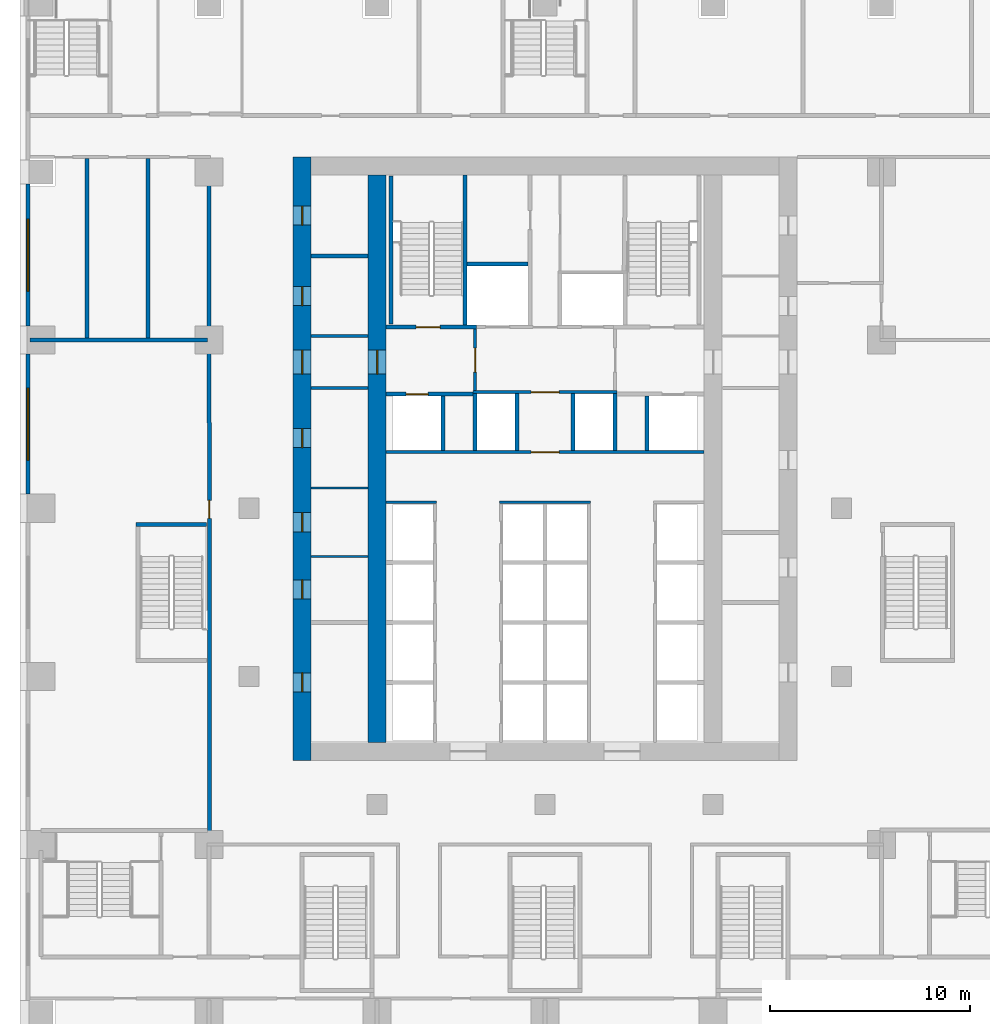
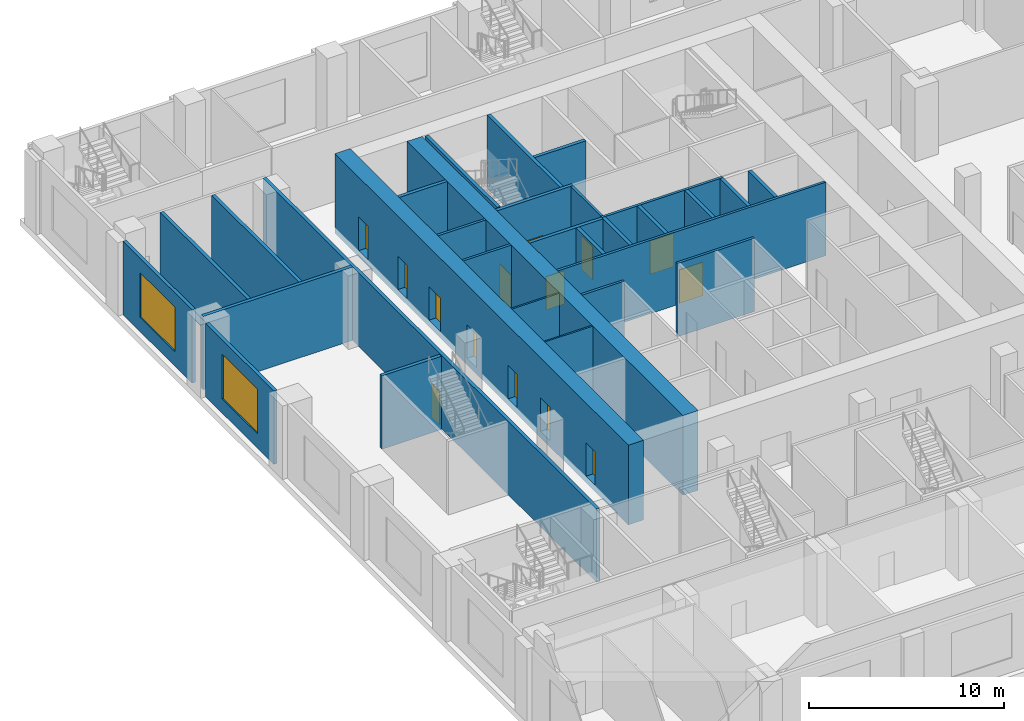
# One storey, part 7 of 23: 30 walls, 14 doors, 2 windows, 16 openings.
"""IFC4 building model written with IfcOpenShell, lengths in metres."""

from ifc_helpers import new_model, si_unit, direction, frame, frame_2d, origin, place, context, subcontext, project, spatial, rectangle, extrude, material, layer, layer_set, type_object, element, fill, save


model = new_model("IFC4")

# Units and contexts
model_context = context("Model", 3, precision=1e-05, world=origin(), true_north=direction((0.0, 1.0)))
body_context = subcontext(model_context, "Body", "Model", "MODEL_VIEW")
ifc_project = project(units=[si_unit("LENGTHUNIT", "METRE"), si_unit("AREAUNIT", "SQUARE_METRE"), si_unit("VOLUMEUNIT", "CUBIC_METRE"), si_unit("PLANEANGLEUNIT", "RADIAN"), si_unit("MASSUNIT", "GRAM", prefix="KILO")], contexts=[model_context])

# Site, building, storey
site_placement = place(None, origin())
site = spatial("IfcSite", under=ifc_project, at=site_placement, CompositionType="ELEMENT")
building_placement = place(site_placement, origin())
building = spatial("IfcBuilding", under=site, at=building_placement, Name="Vermilion Ogive Tower", CompositionType="ELEMENT")
storey_placement = place(building_placement, frame((0.0, 0.0, 20.0)))
storey = spatial("IfcBuildingStorey", under=building, at=storey_placement, Name="L03", CompositionType="ELEMENT", Elevation=20.0)

# Wall, openings, doors
ifc_material_1 = material(Name="Concrete B80", Category="concrete")
ifc_layer_1 = layer(ifc_material_1, 0.89990234375)
ifc_layer_set_1 = layer_set([ifc_layer_1], Name="Core wall 900 B80")
wall_type_1 = type_object("IfcWallType", Name="Core wall 900 B80", PredefinedType="SHEAR", material=ifc_layer_set_1)
wall_1_placement = place(storey_placement, frame((-12.14990234375, -8.39990234375, -0.39990234375), z_axis=(0.0, 0.0, 1.0), x_axis=(0.0, 1.0, 0.0)))
wall_1 = element("IfcWall", 1, at=wall_1_placement, inside=storey, type_object=wall_type_1, Name="L03-CORE-W", PredefinedType="SHEAR", context=body_context, shape_type="SweptSolid", body=[
    extrude(rectangle(XDim=30.14990234375, YDim=0.89990234375, at=frame_2d((15.074951171875, 0.0))), origin(), (0.0, 0.0, 1.0), 5.0),
])
opening_1_placement = place(wall_1_placement, frame((3.425048828125, 0.0, 0.39990234375)))
opening_1 = element("IfcOpeningElement", 2, at=opening_1_placement, cuts=wall_1, Name="Opening DAK017", PredefinedType="OPENING", context=body_context, shape_type="SweptSolid", body=[
    extrude(rectangle(XDim=0.949951171875, YDim=2.10009765625, at=frame_2d((0.47509765625, 1.050048828125))), frame((0.0, 0.4599609375, 0.0), z_axis=(0.0, -1.0, 0.0), x_axis=(1.0, 0.0, 0.0)), (0.0, 0.0, 1.0), 0.919921875),
])
opening_2_placement = place(wall_1_placement, frame((8.074951171875, 0.0, 0.39990234375)))
opening_2 = element("IfcOpeningElement", 3, at=opening_2_placement, cuts=wall_1, Name="Opening DAK018", PredefinedType="OPENING", context=body_context, shape_type="SweptSolid", body=[
    extrude(rectangle(XDim=0.949951171875, YDim=2.10009765625, at=frame_2d((0.47509765625, 1.050048828125))), frame((0.0, 0.4599609375, 0.0), z_axis=(0.0, -1.0, 0.0), x_axis=(1.0, 0.0, 0.0)), (0.0, 0.0, 1.0), 0.919921875),
])
opening_3_placement = place(wall_1_placement, frame((11.425048828125, 0.0, 0.39990234375)))
opening_3 = element("IfcOpeningElement", 4, at=opening_3_placement, cuts=wall_1, Name="Opening DAK019", PredefinedType="OPENING", context=body_context, shape_type="SweptSolid", body=[
    extrude(rectangle(XDim=0.949951171875, YDim=2.10009765625, at=frame_2d((0.47509765625, 1.050048828125))), frame((0.0, 0.4599609375, 0.0), z_axis=(0.0, -1.0, 0.0), x_axis=(1.0, 0.0, 0.0)), (0.0, 0.0, 1.0), 0.919921875),
])
opening_4_placement = place(wall_1_placement, frame((15.625, 0.0, 0.39990234375)))
opening_4 = element("IfcOpeningElement", 5, at=opening_4_placement, cuts=wall_1, Name="Opening DAK020", PredefinedType="OPENING", context=body_context, shape_type="SweptSolid", body=[
    extrude(rectangle(XDim=0.949951171875, YDim=2.10009765625, at=frame_2d((0.47509765625, 1.050048828125))), frame((0.0, 0.4599609375, 0.0), z_axis=(0.0, -1.0, 0.0), x_axis=(1.0, 0.0, 0.0)), (0.0, 0.0, 1.0), 0.919921875),
])
opening_5_placement = place(wall_1_placement, frame((22.72509765625, 0.0, 0.39990234375)))
opening_5 = element("IfcOpeningElement", 6, at=opening_5_placement, cuts=wall_1, Name="Opening DAK021", PredefinedType="OPENING", context=body_context, shape_type="SweptSolid", body=[
    extrude(rectangle(XDim=0.949951171875, YDim=2.10009765625, at=frame_2d((0.47509765625, 1.050048828125))), frame((0.0, 0.4599609375, 0.0), z_axis=(0.0, -1.0, 0.0), x_axis=(1.0, 0.0, 0.0)), (0.0, 0.0, 1.0), 0.919921875),
])
opening_6_placement = place(wall_1_placement, frame((26.75, 0.0, 0.39990234375)))
opening_6 = element("IfcOpeningElement", 7, at=opening_6_placement, cuts=wall_1, Name="Opening DAK022", PredefinedType="OPENING", context=body_context, shape_type="SweptSolid", body=[
    extrude(rectangle(XDim=0.949951171875, YDim=2.10009765625, at=frame_2d((0.47509765625, 1.050048828125))), frame((0.0, 0.4599609375, 0.0), z_axis=(0.0, -1.0, 0.0), x_axis=(1.0, 0.0, 0.0)), (0.0, 0.0, 1.0), 0.919921875),
])
opening_7_placement = place(wall_1_placement, frame((19.300048828125, 0.0, 0.39990234375)))
opening_7 = element("IfcOpeningElement", 8, at=opening_7_placement, cuts=wall_1, Name="Opening DBB004", PredefinedType="OPENING", context=body_context, shape_type="SweptSolid", body=[
    extrude(rectangle(XDim=1.199951171875, YDim=2.10009765625, at=frame_2d((0.60009765625, 1.050048828125))), frame((0.0, 0.4599609375, 0.0), z_axis=(0.0, -1.0, 0.0), x_axis=(1.0, 0.0, 0.0)), (0.0, 0.0, 1.0), 0.919921875),
])
ifc_material_2 = material(Name="Timber door leaf", Category="wood")
door_type_1 = type_object("IfcDoorType", Name="Link door 1200 x 2100 FD60S", OperationType="SINGLE_SWING_LEFT", PredefinedType="DOOR", material=ifc_material_2)
door_1_placement = place(opening_7_placement, origin())
door_1 = element("IfcDoor", 9, at=door_1_placement, inside=storey, type_object=door_type_1, Name="L03-CKW-XL", OperationType="SINGLE_SWING_LEFT", OverallHeight=2.10009765625, OverallWidth=1.199951171875, PredefinedType="DOOR", context=body_context, shape_type="SweptSolid", body=[
    extrude(rectangle(XDim=1.199951171875, YDim=2.10009765625, at=frame_2d((0.60009765625, 1.050048828125))), frame((0.0, 0.02490234375, 0.0), z_axis=(0.0, -1.0, 0.0), x_axis=(1.0, 0.0, 0.0)), (0.0, 0.0, 1.0), 0.050048828125),
])
fill(opening_7, door_1)
ifc_material_3 = material(Name="Timber door leaf", Category="wood")
door_type_2 = type_object("IfcDoorType", Name="Service door 950 x 2100 FD60", OperationType="SINGLE_SWING_LEFT", PredefinedType="DOOR", material=ifc_material_3)
door_2_placement = place(opening_1_placement, origin())
door_2 = element("IfcDoor", 10, at=door_2_placement, inside=storey, type_object=door_type_2, Name="L03-CKW-XR0", OperationType="SINGLE_SWING_LEFT", OverallHeight=2.10009765625, OverallWidth=0.949951171875, PredefinedType="DOOR", context=body_context, shape_type="SweptSolid", body=[
    extrude(rectangle(XDim=0.949951171875, YDim=2.10009765625, at=frame_2d((0.47509765625, 1.050048828125))), frame((0.0, 0.02490234375, 0.0), z_axis=(0.0, -1.0, 0.0), x_axis=(1.0, 0.0, 0.0)), (0.0, 0.0, 1.0), 0.050048828125),
])
fill(opening_1, door_2)
door_3_placement = place(opening_2_placement, origin())
door_3 = element("IfcDoor", 11, at=door_3_placement, inside=storey, type_object=door_type_2, Name="L03-CKW-XR1", OperationType="SINGLE_SWING_LEFT", OverallHeight=2.10009765625, OverallWidth=0.949951171875, PredefinedType="DOOR", context=body_context, shape_type="SweptSolid", body=[
    extrude(rectangle(XDim=0.949951171875, YDim=2.10009765625, at=frame_2d((0.47509765625, 1.050048828125))), frame((0.0, 0.02490234375, 0.0), z_axis=(0.0, -1.0, 0.0), x_axis=(1.0, 0.0, 0.0)), (0.0, 0.0, 1.0), 0.050048828125),
])
fill(opening_2, door_3)
door_4_placement = place(opening_3_placement, origin())
door_4 = element("IfcDoor", 12, at=door_4_placement, inside=storey, type_object=door_type_2, Name="L03-CKW-XR2", OperationType="SINGLE_SWING_LEFT", OverallHeight=2.10009765625, OverallWidth=0.949951171875, PredefinedType="DOOR", context=body_context, shape_type="SweptSolid", body=[
    extrude(rectangle(XDim=0.949951171875, YDim=2.10009765625, at=frame_2d((0.47509765625, 1.050048828125))), frame((0.0, 0.02490234375, 0.0), z_axis=(0.0, -1.0, 0.0), x_axis=(1.0, 0.0, 0.0)), (0.0, 0.0, 1.0), 0.050048828125),
])
fill(opening_3, door_4)
door_5_placement = place(opening_4_placement, origin())
door_5 = element("IfcDoor", 13, at=door_5_placement, inside=storey, type_object=door_type_2, Name="L03-CKW-XR3", OperationType="SINGLE_SWING_LEFT", OverallHeight=2.10009765625, OverallWidth=0.949951171875, PredefinedType="DOOR", context=body_context, shape_type="SweptSolid", body=[
    extrude(rectangle(XDim=0.949951171875, YDim=2.10009765625, at=frame_2d((0.47509765625, 1.050048828125))), frame((0.0, 0.02490234375, 0.0), z_axis=(0.0, -1.0, 0.0), x_axis=(1.0, 0.0, 0.0)), (0.0, 0.0, 1.0), 0.050048828125),
])
fill(opening_4, door_5)
door_6_placement = place(opening_5_placement, origin())
door_6 = element("IfcDoor", 14, at=door_6_placement, inside=storey, type_object=door_type_2, Name="L03-CKW-XR4", OperationType="SINGLE_SWING_LEFT", OverallHeight=2.10009765625, OverallWidth=0.949951171875, PredefinedType="DOOR", context=body_context, shape_type="SweptSolid", body=[
    extrude(rectangle(XDim=0.949951171875, YDim=2.10009765625, at=frame_2d((0.47509765625, 1.050048828125))), frame((0.0, 0.02490234375, 0.0), z_axis=(0.0, -1.0, 0.0), x_axis=(1.0, 0.0, 0.0)), (0.0, 0.0, 1.0), 0.050048828125),
])
fill(opening_5, door_6)
door_7_placement = place(opening_6_placement, origin())
door_7 = element("IfcDoor", 15, at=door_7_placement, inside=storey, type_object=door_type_2, Name="L03-CKW-XR5", OperationType="SINGLE_SWING_LEFT", OverallHeight=2.10009765625, OverallWidth=0.949951171875, PredefinedType="DOOR", context=body_context, shape_type="SweptSolid", body=[
    extrude(rectangle(XDim=0.949951171875, YDim=2.10009765625, at=frame_2d((0.47509765625, 1.050048828125))), frame((0.0, 0.02490234375, 0.0), z_axis=(0.0, -1.0, 0.0), x_axis=(1.0, 0.0, 0.0)), (0.0, 0.0, 1.0), 0.050048828125),
])
fill(opening_6, door_7)

# Wall, opening, door
wall_2_placement = place(storey_placement, frame((-8.39990234375, -7.5, -0.39990234375), z_axis=(0.0, 0.0, 1.0), x_axis=(0.0, 1.0, 0.0)))
wall_2 = element("IfcWall", 16, at=wall_2_placement, inside=storey, type_object=wall_type_1, Name="L03-CORE-WEB1", PredefinedType="SHEAR", context=body_context, shape_type="SweptSolid", body=[
    extrude(rectangle(XDim=28.35009765625, YDim=0.89990234375, at=frame_2d((14.175048828125, 0.0))), origin(), (0.0, 0.0, 1.0), 5.0),
])
opening_8_placement = place(wall_2_placement, frame((18.39990234375, 0.0, 0.39990234375)))
opening_8 = element("IfcOpeningElement", 17, at=opening_8_placement, cuts=wall_2, Name="Opening DBD004", PredefinedType="OPENING", context=body_context, shape_type="SweptSolid", body=[
    extrude(rectangle(XDim=1.199951171875, YDim=2.10009765625, at=frame_2d((0.60009765625, 1.050048828125))), frame((0.0, 0.4599609375, 0.0), z_axis=(0.0, -1.0, 0.0), x_axis=(1.0, 0.0, 0.0)), (0.0, 0.0, 1.0), 0.919921875),
])
door_8_placement = place(opening_8_placement, origin())
door_8 = element("IfcDoor", 18, at=door_8_placement, inside=storey, type_object=door_type_1, Name="L03-CKW-XW", OperationType="SINGLE_SWING_LEFT", OverallHeight=2.10009765625, OverallWidth=1.199951171875, PredefinedType="DOOR", context=body_context, shape_type="SweptSolid", body=[
    extrude(rectangle(XDim=1.199951171875, YDim=2.10009765625, at=frame_2d((0.60009765625, 1.050048828125))), frame((0.0, 0.02490234375, 0.0), z_axis=(0.0, -1.0, 0.0), x_axis=(1.0, 0.0, 0.0)), (0.0, 0.0, 1.0), 0.050048828125),
])
fill(opening_8, door_8)

# Walls
ifc_material_4 = material(Name="Gypsum board partition on steel studs", Category="steel")
ifc_layer_2 = layer(ifc_material_4, 0.10009765625)
ifc_layer_set_2 = layer_set([ifc_layer_2], Name="Partition 100 bath")
wall_type_2 = type_object("IfcWallType", Name="Partition 100 bath", PredefinedType="PARTITIONING", material=ifc_layer_set_2)
for number, where, z_axis, x_axis, name in (
    (19, (-11.698974609375, 1.800048828125, 0.0), (0.0, 0.0, 1.0), (1.0, 0.0, 0.0), "L03-CKW-W-W002"),
    (20, (-11.698974609375, 5.199951171875, 0.0), (0.0, 0.0, 1.0), (1.0, 0.0, 0.0), "L03-CKW-W-W003"),
):
    element("IfcWall", number, at=place(storey_placement, frame(where, z_axis=z_axis, x_axis=x_axis)), inside=storey, type_object=wall_type_2, Name=name, PredefinedType="PARTITIONING", context=body_context, shape_type="SweptSolid", body=[
        extrude(rectangle(XDim=2.847900390625, YDim=0.10009765625, at=frame_2d((1.423828125, 0.0))), origin(), (0.0, 0.0, 1.0), 4.60009765625),
    ])
ifc_material_5 = material(Name="Gypsum board partition on steel studs", Category="steel")
ifc_layer_3 = layer(ifc_material_5, 0.14990234375)
ifc_layer_set_3 = layer_set([ifc_layer_3], Name="Partition 150 corridor")
wall_type_3 = type_object("IfcWallType", Name="Partition 150 corridor", PredefinedType="PARTITIONING", material=ifc_layer_set_3)
wall_3_placement = place(storey_placement, frame((-7.948974609375, 4.5, 0.0), z_axis=(0.0, 0.0, 1.0), x_axis=(1.0, 0.0, 0.0)))
element("IfcWall", 21, at=wall_3_placement, inside=storey, type_object=wall_type_3, Name="L03-CK-W-W010", PredefinedType="PARTITIONING", context=body_context, shape_type="SweptSolid", body=[
    extrude(rectangle(XDim=2.52392578125, YDim=0.14990234375, at=frame_2d((1.261962890625, 0.0))), origin(), (0.0, 0.0, 1.0), 4.60009765625),
])
wall_4_placement = place(storey_placement, frame((-2.27490234375, 4.5, 0.0), z_axis=(0.0, 0.0, 1.0), x_axis=(1.0, 0.0, 0.0)))
element("IfcWall", 22, at=wall_4_placement, inside=storey, type_object=wall_type_3, Name="L03-CK-W-W011", PredefinedType="PARTITIONING", context=body_context, shape_type="SweptSolid", body=[
    extrude(rectangle(XDim=4.5498046875, YDim=0.14990234375, at=frame_2d((2.27490234375, 0.0))), origin(), (0.0, 0.0, 1.0), 4.60009765625),
])

# Wall, opening, door
wall_5_placement = place(storey_placement, frame((-7.948974609375, 7.0, 0.0), z_axis=(0.0, 0.0, 1.0), x_axis=(1.0, 0.0, 0.0)))
wall_5 = element("IfcWall", 23, at=wall_5_placement, inside=storey, type_object=wall_type_3, Name="L03-CK-W-W013", PredefinedType="PARTITIONING", context=body_context, shape_type="SweptSolid", body=[
    extrude(rectangle(XDim=15.89794921875, YDim=0.14990234375, at=frame_2d((7.948974609375, 0.0))), origin(), (0.0, 0.0, 1.0), 4.60009765625),
])
opening_9_placement = place(wall_5_placement, frame((7.2490234375, 0.0, 0.0)))
opening_9 = element("IfcOpeningElement", 24, at=opening_9_placement, cuts=wall_5, Name="Opening DAB080", PredefinedType="OPENING", context=body_context, shape_type="SweptSolid", body=[
    extrude(rectangle(XDim=1.39990234375, YDim=2.10009765625, at=frame_2d((0.699951171875, 1.050048828125))), frame((0.0, 0.0849609375, 0.0), z_axis=(0.0, -1.0, 0.0), x_axis=(1.0, 0.0, 0.0)), (0.0, 0.0, 1.0), 0.169921875),
])
ifc_material_6 = material(Name="Timber door leaf", Category="wood")
door_type_3 = type_object("IfcDoorType", Name="Lobby door 1400 x 2100 FD60S", OperationType="SINGLE_SWING_LEFT", PredefinedType="DOOR", material=ifc_material_6)
door_9_placement = place(opening_9_placement, origin())
door_9 = element("IfcDoor", 25, at=door_9_placement, inside=storey, type_object=door_type_3, Name="L03-CK-D-D015", OperationType="SINGLE_SWING_RIGHT", OverallHeight=2.10009765625, OverallWidth=1.39990234375, PredefinedType="DOOR", context=body_context, shape_type="SweptSolid", body=[
    extrude(rectangle(XDim=1.39990234375, YDim=2.10009765625, at=frame_2d((0.699951171875, 1.050048828125))), frame((0.0, 0.02490234375, 0.0), z_axis=(0.0, -1.0, 0.0), x_axis=(1.0, 0.0, 0.0)), (0.0, 0.0, 1.0), 0.050048828125),
])
fill(opening_9, door_9)

wall_6_placement = place(storey_placement, frame((-3.60009765625, 10.0, 0.0), z_axis=(0.0, 0.0, 1.0), x_axis=(1.0, 0.0, 0.0)))
wall_6 = element("IfcWall", 26, at=wall_6_placement, inside=storey, type_object=wall_type_3, Name="L03-CK-W-W016", PredefinedType="PARTITIONING", context=body_context, shape_type="SweptSolid", body=[
    extrude(rectangle(XDim=7.2001953125, YDim=0.14990234375, at=frame_2d((3.60009765625, 0.0))), origin(), (0.0, 0.0, 1.0), 4.60009765625),
])
opening_10_placement = place(wall_6_placement, frame((2.900146484375, 0.0, 0.0)))
opening_10 = element("IfcOpeningElement", 27, at=opening_10_placement, cuts=wall_6, Name="Opening DAB081", PredefinedType="OPENING", context=body_context, shape_type="SweptSolid", body=[
    extrude(rectangle(XDim=1.39990234375, YDim=2.10009765625, at=frame_2d((0.699951171875, 1.050048828125))), frame((0.0, 0.0849609375, 0.0), z_axis=(0.0, -1.0, 0.0), x_axis=(1.0, 0.0, 0.0)), (0.0, 0.0, 1.0), 0.169921875),
])
door_10_placement = place(opening_10_placement, origin())
door_10 = element("IfcDoor", 28, at=door_10_placement, inside=storey, type_object=door_type_3, Name="L03-CK-D-D016", OperationType="SINGLE_SWING_RIGHT", OverallHeight=2.10009765625, OverallWidth=1.39990234375, PredefinedType="DOOR", context=body_context, shape_type="SweptSolid", body=[
    extrude(rectangle(XDim=1.39990234375, YDim=2.10009765625, at=frame_2d((0.699951171875, 1.050048828125))), frame((0.0, 0.02490234375, 0.0), z_axis=(0.0, -1.0, 0.0), x_axis=(1.0, 0.0, 0.0)), (0.0, 0.0, 1.0), 0.050048828125),
])
fill(opening_10, door_10)

wall_7_placement = place(storey_placement, frame((-3.5, 10.074951171875, 0.0), z_axis=(0.0, 0.0, 1.0), x_axis=(0.0, 1.0, 0.0)))
wall_7 = element("IfcWall", 29, at=wall_7_placement, inside=storey, type_object=wall_type_3, Name="L03-CK-W-W026", PredefinedType="PARTITIONING", context=body_context, shape_type="SweptSolid", body=[
    extrude(rectangle(XDim=3.074951171875, YDim=0.14990234375, at=frame_2d((1.53759765625, 0.0))), origin(), (0.0, 0.0, 1.0), 4.60009765625),
])
opening_11_placement = place(wall_7_placement, frame((0.925048828125, 0.0, 0.0)))
opening_11 = element("IfcOpeningElement", 30, at=opening_11_placement, cuts=wall_7, Name="Opening DAB078", PredefinedType="OPENING", context=body_context, shape_type="SweptSolid", body=[
    extrude(rectangle(XDim=1.199951171875, YDim=2.10009765625, at=frame_2d((0.60009765625, 1.050048828125))), frame((0.0, 0.0849609375, 0.0), z_axis=(0.0, -1.0, 0.0), x_axis=(1.0, 0.0, 0.0)), (0.0, 0.0, 1.0), 0.169921875),
])
ifc_material_7 = material(Name="Timber door leaf", Category="wood")
door_type_4 = type_object("IfcDoorType", Name="Lobby door 1200 x 2100 FD60S", OperationType="SINGLE_SWING_LEFT", PredefinedType="DOOR", material=ifc_material_7)
door_11_placement = place(opening_11_placement, origin())
door_11 = element("IfcDoor", 31, at=door_11_placement, inside=storey, type_object=door_type_4, Name="L03-CK-D-D022", OperationType="SINGLE_SWING_RIGHT", OverallHeight=2.10009765625, OverallWidth=1.199951171875, PredefinedType="DOOR", context=body_context, shape_type="SweptSolid", body=[
    extrude(rectangle(XDim=1.199951171875, YDim=2.10009765625, at=frame_2d((0.60009765625, 1.050048828125))), frame((0.0, 0.02490234375, 0.0), z_axis=(0.0, -1.0, 0.0), x_axis=(1.0, 0.0, 0.0)), (0.0, 0.0, 1.0), 0.050048828125),
])
fill(opening_11, door_11)

# Walls
for number, where, z_axis, x_axis, name in (
    (32, (-11.698974609375, 10.199951171875, 0.0), (0.0, 0.0, 1.0), (1.0, 0.0, 0.0), "L03-CKW-W-W004"),
    (33, (-11.698974609375, 12.800048828125, 0.0), (0.0, 0.0, 1.0), (1.0, 0.0, 0.0), "L03-CKW-W-W005"),
):
    element("IfcWall", number, at=place(storey_placement, frame(where, z_axis=z_axis, x_axis=x_axis)), inside=storey, type_object=wall_type_3, Name=name, PredefinedType="PARTITIONING", context=body_context, shape_type="SweptSolid", body=[
        extrude(rectangle(XDim=2.847900390625, YDim=0.14990234375, at=frame_2d((1.423828125, 0.0))), origin(), (0.0, 0.0, 1.0), 4.60009765625),
    ])
ifc_material_8 = material(Name="Gypsum board partition on steel studs", Category="steel")
ifc_layer_4 = layer(ifc_material_8, 0.199951171875)
ifc_layer_set_4 = layer_set([ifc_layer_4], Name="Partition 200 party")
wall_type_4 = type_object("IfcWallType", Name="Partition 200 party", PredefinedType="PARTITIONING", material=ifc_layer_set_4)
wall_8_placement = place(storey_placement, frame((-25.75, 12.60009765625, 0.0), z_axis=(0.0, 0.0, 1.0), x_axis=(1.0, 0.0, 0.0)))
element("IfcWall", 34, at=wall_8_placement, inside=storey, type_object=wall_type_4, Name="L03-FS-W-W028", PredefinedType="PARTITIONING", context=body_context, shape_type="SweptSolid", body=[
    extrude(rectangle(XDim=8.875, YDim=0.199951171875, at=frame_2d((4.4375, 0.0))), origin(), (0.0, 0.0, 1.0), 4.60009765625),
])
for number, where, z_axis, x_axis, name in (
    (35, (-22.89990234375, 12.699951171875, 0.0), (0.0, 0.0, 1.0), (0.0, 1.0, 0.0), "L03-FS-W-W043"),
    (36, (-19.85009765625, 12.699951171875, 0.0), (0.0, 0.0, 1.0), (0.0, 1.0, 0.0), "L03-FS-W-W046"),
):
    element("IfcWall", number, at=place(storey_placement, frame(where, z_axis=z_axis, x_axis=x_axis)), inside=storey, type_object=wall_type_4, Name=name, PredefinedType="PARTITIONING", context=body_context, shape_type="SweptSolid", body=[
        extrude(rectangle(XDim=8.97509765625, YDim=0.199951171875, at=frame_2d((4.487548828125, 0.0))), origin(), (0.0, 0.0, 1.0), 4.60009765625),
    ])

# Wall, opening, door
wall_9_placement = place(storey_placement, frame((-7.948974609375, 9.89990234375, 0.0), z_axis=(0.0, 0.0, 1.0), x_axis=(1.0, 0.0, 0.0)))
wall_9 = element("IfcWall", 37, at=wall_9_placement, inside=storey, type_object=wall_type_4, Name="L03-CK-W-W014", PredefinedType="PARTITIONING", context=body_context, shape_type="SweptSolid", body=[
    extrude(rectangle(XDim=4.348876953125, YDim=0.199951171875, at=frame_2d((2.17431640625, 0.0))), origin(), (0.0, 0.0, 1.0), 4.60009765625),
])
opening_12_placement = place(wall_9_placement, frame((0.9990234375, 0.0, 0.0)))
opening_12 = element("IfcOpeningElement", 38, at=opening_12_placement, cuts=wall_9, Name="Opening DAB089", PredefinedType="OPENING", context=body_context, shape_type="SweptSolid", body=[
    extrude(rectangle(XDim=1.10009765625, YDim=2.10009765625, at=frame_2d((0.550048828125, 1.050048828125))), frame((0.0, 0.10986328125, 0.0), z_axis=(0.0, -1.0, 0.0), x_axis=(1.0, 0.0, 0.0)), (0.0, 0.0, 1.0), 0.219970703125),
])
ifc_material_9 = material(Name="Stainless steel", Category="steel")
door_type_5 = type_object("IfcDoorType", Name="Lift landing door 1100 x 2100", OperationType="SLIDING_TO_LEFT", PredefinedType="DOOR", material=ifc_material_9)
door_12_placement = place(opening_12_placement, origin())
door_12 = element("IfcDoor", 39, at=door_12_placement, inside=storey, type_object=door_type_5, Name="L03-CK-D-D012", OperationType="SLIDING_TO_RIGHT", OverallHeight=2.10009765625, OverallWidth=1.10009765625, PredefinedType="DOOR", context=body_context, shape_type="SweptSolid", body=[
    extrude(rectangle(XDim=1.10009765625, YDim=2.10009765625, at=frame_2d((0.550048828125, 1.050048828125))), frame((0.0, 0.02490234375, 0.0), z_axis=(0.0, -1.0, 0.0), x_axis=(1.0, 0.0, 0.0)), (0.0, 0.0, 1.0), 0.050048828125),
])
fill(opening_12, door_12)

# Walls
wall_10_placement = place(storey_placement, frame((-3.89990234375, 16.39990234375, 0.0), z_axis=(0.0, 0.0, 1.0), x_axis=(1.0, 0.0, 0.0)))
element("IfcWall", 40, at=wall_10_placement, inside=storey, type_object=wall_type_4, Name="L03-CK-W-W021", PredefinedType="PARTITIONING", context=body_context, shape_type="SweptSolid", body=[
    extrude(rectangle(XDim=3.0498046875, YDim=0.199951171875, at=frame_2d((1.52490234375, 0.0))), origin(), (0.0, 0.0, 1.0), 4.60009765625),
])
wall_11_placement = place(storey_placement, frame((-5.10009765625, 7.074951171875, 0.0), z_axis=(0.0, 0.0, 1.0), x_axis=(0.0, 1.0, 0.0)))
element("IfcWall", 41, at=wall_11_placement, inside=storey, type_object=wall_type_4, Name="L03-CK-W-W023", PredefinedType="PARTITIONING", context=body_context, shape_type="SweptSolid", body=[
    extrude(rectangle(XDim=2.72509765625, YDim=0.199951171875, at=frame_2d((1.362548828125, 0.0))), origin(), (0.0, 0.0, 1.0), 4.60009765625),
])
for number, where, z_axis, x_axis, name in (
    (42, (-3.5, 7.074951171875, 0.0), (0.0, 0.0, 1.0), (0.0, 1.0, 0.0), "L03-CK-W-W025"),
    (43, (-1.39990234375, 7.074951171875, 0.0), (0.0, 0.0, 1.0), (0.0, 1.0, 0.0), "L03-CK-W-W028"),
    (44, (1.39990234375, 7.074951171875, 0.0), (0.0, 0.0, 1.0), (0.0, 1.0, 0.0), "L03-CK-W-W033"),
    (45, (3.5, 7.074951171875, 0.0), (0.0, 0.0, 1.0), (0.0, 1.0, 0.0), "L03-CK-W-W035"),
):
    element("IfcWall", number, at=place(storey_placement, frame(where, z_axis=z_axis, x_axis=x_axis)), inside=storey, type_object=wall_type_4, Name=name, PredefinedType="PARTITIONING", context=body_context, shape_type="SweptSolid", body=[
        extrude(rectangle(XDim=2.85009765625, YDim=0.199951171875, at=frame_2d((1.425048828125, 0.0))), origin(), (0.0, 0.0, 1.0), 4.60009765625),
    ])
wall_12_placement = place(storey_placement, frame((5.10009765625, 7.074951171875, 0.0), z_axis=(0.0, 0.0, 1.0), x_axis=(0.0, 1.0, 0.0)))
element("IfcWall", 46, at=wall_12_placement, inside=storey, type_object=wall_type_4, Name="L03-CK-W-W039", PredefinedType="PARTITIONING", context=body_context, shape_type="SweptSolid", body=[
    extrude(rectangle(XDim=2.72509765625, YDim=0.199951171875, at=frame_2d((1.362548828125, 0.0))), origin(), (0.0, 0.0, 1.0), 4.60009765625),
])
wall_13_placement = place(storey_placement, frame((-11.698974609375, 16.800048828125, 0.0), z_axis=(0.0, 0.0, 1.0), x_axis=(1.0, 0.0, 0.0)))
element("IfcWall", 47, at=wall_13_placement, inside=storey, type_object=wall_type_4, Name="L03-CKW-W-W006", PredefinedType="PARTITIONING", context=body_context, shape_type="SweptSolid", body=[
    extrude(rectangle(XDim=2.847900390625, YDim=0.199951171875, at=frame_2d((1.423828125, 0.0))), origin(), (0.0, 0.0, 1.0), 4.60009765625),
])

# Wall, opening, door
ifc_material_10 = material(Name="Concrete B60", Category="concrete")
ifc_layer_5 = layer(ifc_material_10, 0.199951171875)
ifc_layer_set_5 = layer_set([ifc_layer_5], Name="Stair shaft wall 200 Concrete B60")
wall_type_5 = type_object("IfcWallType", Name="Stair shaft wall 200 Concrete B60", PredefinedType="SOLIDWALL", material=ifc_layer_set_5)
wall_14_placement = place(storey_placement, frame((-16.775146484375, -12.52490234375, 0.0), z_axis=(0.0, 0.0, 1.0), x_axis=(-0.000727609751, 0.999999735292, 0.0)))
wall_14 = element("IfcWall", 48, at=wall_14_placement, inside=storey, type_object=wall_type_5, Name="L03-FS-W-W053", PredefinedType="SOLIDWALL", context=body_context, shape_type="SweptSolid", body=[
    extrude(rectangle(XDim=34.224853515625, YDim=0.199951171875, at=frame_2d((17.1123046875, 0.0))), origin(), (0.0, 0.0, 1.0), 4.60009765625),
])
opening_13_placement = place(wall_14_placement, frame((16.224853515625, 0.0, 0.0)))
opening_13 = element("IfcOpeningElement", 49, at=opening_13_placement, cuts=wall_14, Name="Opening L03S018", PredefinedType="OPENING", context=body_context, shape_type="SweptSolid", body=[
    extrude(rectangle(XDim=0.89990234375, YDim=2.10009765625, at=frame_2d((0.449951171875, 1.050048828125))), frame((0.0, 0.10986328125, 0.0), z_axis=(0.0, -1.0, 0.0), x_axis=(1.0, 0.0, 0.0)), (0.0, 0.0, 1.0), 0.219970703125),
])
ifc_material_11 = material(Name="Timber door leaf", Category="wood")
door_type_6 = type_object("IfcDoorType", Name="Room door 900 x 2100 FD30", OperationType="SINGLE_SWING_LEFT", PredefinedType="DOOR", material=ifc_material_11)
door_13_placement = place(opening_13_placement, origin())
door_13 = element("IfcDoor", 50, at=door_13_placement, inside=storey, type_object=door_type_6, Name="L03-FS-D-D018", OperationType="SINGLE_SWING_LEFT", OverallHeight=2.10009765625, OverallWidth=0.89990234375, PredefinedType="DOOR", context=body_context, shape_type="SweptSolid", body=[
    extrude(rectangle(XDim=0.89990234375, YDim=2.10009765625, at=frame_2d((0.449951171875, 1.050048828125))), frame((0.0, 0.02490234375, 0.0), z_axis=(0.0, -1.0, 0.0), x_axis=(1.0, 0.0, 0.0)), (0.0, 0.0, 1.0), 0.050048828125),
])
fill(opening_13, door_13)

wall_15_placement = place(storey_placement, frame((-7.948974609375, 13.25, 0.0), z_axis=(0.0, 0.0, 1.0), x_axis=(1.0, 0.0, 0.0)))
wall_15 = element("IfcWall", 51, at=wall_15_placement, inside=storey, type_object=wall_type_5, Name="L03-CK-W-W017", PredefinedType="SOLIDWALL", context=body_context, shape_type="SweptSolid", body=[
    extrude(rectangle(XDim=4.52392578125, YDim=0.199951171875, at=frame_2d((2.261962890625, 0.0))), origin(), (0.0, 0.0, 1.0), 4.60009765625),
])
opening_14_placement = place(wall_15_placement, frame((1.4990234375, 0.0, 0.0)))
opening_14 = element("IfcOpeningElement", 52, at=opening_14_placement, cuts=wall_15, Name="Opening DAB085", PredefinedType="OPENING", context=body_context, shape_type="SweptSolid", body=[
    extrude(rectangle(XDim=1.199951171875, YDim=2.10009765625, at=frame_2d((0.60009765625, 1.050048828125))), frame((0.0, 0.10986328125, 0.0), z_axis=(0.0, -1.0, 0.0), x_axis=(1.0, 0.0, 0.0)), (0.0, 0.0, 1.0), 0.219970703125),
])
ifc_material_12 = material(Name="Timber door leaf", Category="wood")
door_type_7 = type_object("IfcDoorType", Name="Stair door 1200 x 2100 FD60S", OperationType="SINGLE_SWING_LEFT", PredefinedType="DOOR", material=ifc_material_12)
door_14_placement = place(opening_14_placement, origin())
door_14 = element("IfcDoor", 53, at=door_14_placement, inside=storey, type_object=door_type_7, Name="L03-CK-D-D011", OperationType="SINGLE_SWING_LEFT", OverallHeight=2.10009765625, OverallWidth=1.199951171875, PredefinedType="DOOR", context=body_context, shape_type="SweptSolid", body=[
    extrude(rectangle(XDim=1.199951171875, YDim=2.10009765625, at=frame_2d((0.60009765625, 1.050048828125))), frame((0.0, 0.02490234375, 0.0), z_axis=(0.0, -1.0, 0.0), x_axis=(1.0, 0.0, 0.0)), (0.0, 0.0, 1.0), 0.050048828125),
])
fill(opening_14, door_14)

# Walls
wall_16_placement = place(storey_placement, frame((-4.0, 13.35009765625, 0.0), z_axis=(0.0, 0.0, 1.0), x_axis=(0.0, 1.0, 0.0)))
element("IfcWall", 54, at=wall_16_placement, inside=storey, type_object=wall_type_5, Name="L03-CK-W-W024", PredefinedType="SOLIDWALL", context=body_context, shape_type="SweptSolid", body=[
    extrude(rectangle(XDim=7.4990234375, YDim=0.199951171875, at=frame_2d((3.74951171875, 0.0))), origin(), (0.0, 0.0, 1.0), 4.60009765625),
])
wall_17_placement = place(storey_placement, frame((-20.449951171875, 3.39990234375, 0.0), z_axis=(0.0, 0.0, 1.0), x_axis=(1.0, 0.0, 0.0)))
element("IfcWall", 55, at=wall_17_placement, inside=storey, type_object=wall_type_5, Name="L03-SW-ST9-N1", PredefinedType="SOLIDWALL", context=body_context, shape_type="SweptSolid", body=[
    extrude(rectangle(XDim=3.52490234375, YDim=0.199951171875, at=frame_2d((1.762451171875, 0.0))), origin(), (0.0, 0.0, 1.0), 4.60009765625),
])
wall_18_placement = place(storey_placement, frame((-7.699951171875, 13.39990234375, 0.0), z_axis=(0.0, 0.0, 1.0), x_axis=(0.0, 1.0, 0.0)))
element("IfcWall", 56, at=wall_18_placement, inside=storey, type_object=wall_type_5, Name="L03-SW-R022-W1", PredefinedType="SOLIDWALL", context=body_context, shape_type="SweptSolid", body=[
    extrude(rectangle(XDim=7.400146484375, YDim=0.199951171875, at=frame_2d((3.7001953125, 0.0))), origin(), (0.0, 0.0, 1.0), 4.60009765625),
])

# Wall, opening, window
ifc_material_13 = material(Name="Aluminium window wall framing", Category="aluminium")
ifc_layer_6 = layer(ifc_material_13, 0.199951171875)
ifc_layer_set_6 = layer_set([ifc_layer_6], Name="Window wall")
wall_type_6 = type_object("IfcWallType", Name="Window wall", PredefinedType="STANDARD", material=ifc_layer_set_6)
wall_19_placement = place(storey_placement, frame((-25.85009765625, 20.39990234375, 0.0), z_axis=(0.0, 0.0, 1.0), x_axis=(0.0, -1.0, 0.0)))
wall_19 = element("IfcWall", 57, at=wall_19_placement, inside=storey, type_object=wall_type_6, Name="Window wall W2", PredefinedType="STANDARD", context=body_context, shape_type="SweptSolid", body=[
    extrude(rectangle(XDim=7.099853515625, YDim=0.199951171875, at=frame_2d((3.5498046875, 0.0))), origin(), (0.0, 0.0, 1.0), 4.60009765625),
])
opening_15_placement = place(wall_19_placement, frame((1.75, 0.0, 0.89990234375)))
opening_15 = element("IfcOpeningElement", 58, at=opening_15_placement, cuts=wall_19, Name="Opening P-W2", PredefinedType="OPENING", context=body_context, shape_type="SweptSolid", body=[
    extrude(rectangle(XDim=3.60009765625, YDim=2.800048828125, at=frame_2d((1.800048828125, 1.39990234375))), frame((0.0, 0.10986328125, 0.0), z_axis=(0.0, -1.0, 0.0), x_axis=(1.0, 0.0, 0.0)), (0.0, 0.0, 1.0), 0.219970703125),
])
ifc_material_14 = material(Name="Aluminium framed double glazing", Category="aluminium")
window_type = type_object("IfcWindowType", Name="Podium window P 3600x2800 sill 900", PartitioningType="SINGLE_PANEL", PredefinedType="WINDOW", material=ifc_material_14)
window_1_placement = place(opening_15_placement, origin())
window_1 = element("IfcWindow", 59, at=window_1_placement, inside=storey, type_object=window_type, Name="Window W2", OverallHeight=2.800048828125, OverallWidth=3.60009765625, PartitioningType="SINGLE_PANEL", PredefinedType="WINDOW", context=body_context, shape_type="SweptSolid", body=[
    extrude(rectangle(XDim=3.60009765625, YDim=2.800048828125, at=frame_2d((1.800048828125, 1.39990234375))), frame((0.0, 0.030029296875, 0.0), z_axis=(0.0, -1.0, 0.0), x_axis=(1.0, 0.0, 0.0)), (0.0, 0.0, 1.0), 0.06005859375),
])
fill(opening_15, window_1)

wall_20_placement = place(storey_placement, frame((-25.85009765625, 11.89990234375, 0.0), z_axis=(0.0, 0.0, 1.0), x_axis=(0.0, -1.0, 0.0)))
wall_20 = element("IfcWall", 60, at=wall_20_placement, inside=storey, type_object=wall_type_6, Name="Window wall W3", PredefinedType="STANDARD", context=body_context, shape_type="SweptSolid", body=[
    extrude(rectangle(XDim=7.0, YDim=0.199951171875, at=frame_2d((3.5, 0.0))), origin(), (0.0, 0.0, 1.0), 4.60009765625),
])
opening_16_placement = place(wall_20_placement, frame((1.699951171875, 0.0, 0.89990234375)))
opening_16 = element("IfcOpeningElement", 61, at=opening_16_placement, cuts=wall_20, Name="Opening P-W3", PredefinedType="OPENING", context=body_context, shape_type="SweptSolid", body=[
    extrude(rectangle(XDim=3.60009765625, YDim=2.800048828125, at=frame_2d((1.800048828125, 1.39990234375))), frame((0.0, 0.10986328125, 0.0), z_axis=(0.0, -1.0, 0.0), x_axis=(1.0, 0.0, 0.0)), (0.0, 0.0, 1.0), 0.219970703125),
])
window_2_placement = place(opening_16_placement, origin())
window_2 = element("IfcWindow", 62, at=window_2_placement, inside=storey, type_object=window_type, Name="Window W3", OverallHeight=2.800048828125, OverallWidth=3.60009765625, PartitioningType="SINGLE_PANEL", PredefinedType="WINDOW", context=body_context, shape_type="SweptSolid", body=[
    extrude(rectangle(XDim=3.60009765625, YDim=2.800048828125, at=frame_2d((1.800048828125, 1.39990234375))), frame((0.0, 0.030029296875, 0.0), z_axis=(0.0, -1.0, 0.0), x_axis=(1.0, 0.0, 0.0)), (0.0, 0.0, 1.0), 0.06005859375),
])
fill(opening_16, window_2)

save(model, "model.ifc")
